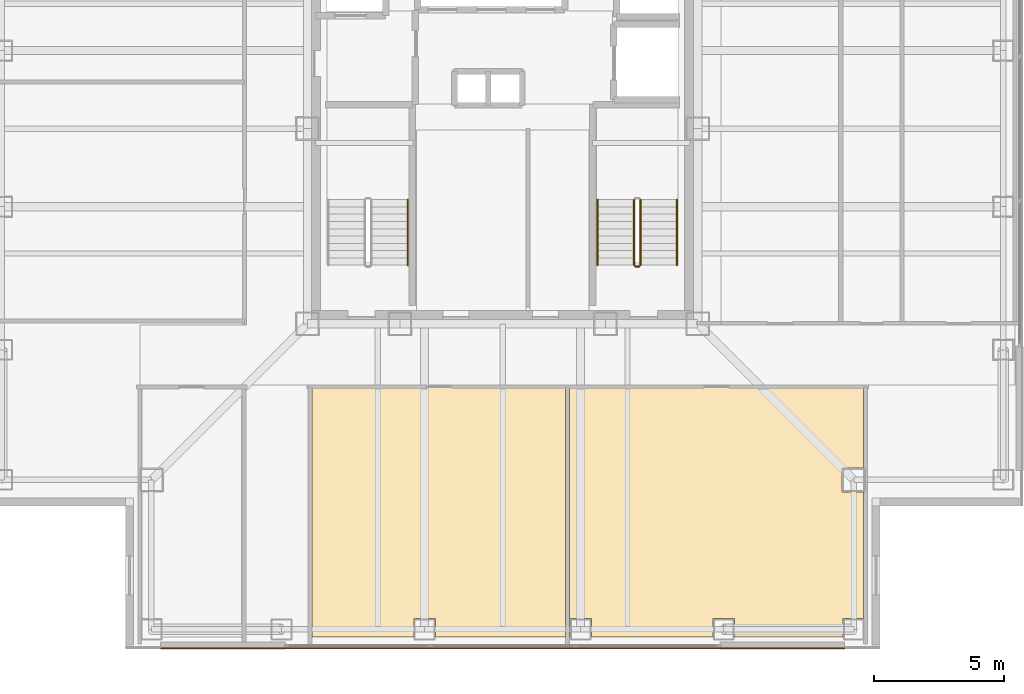
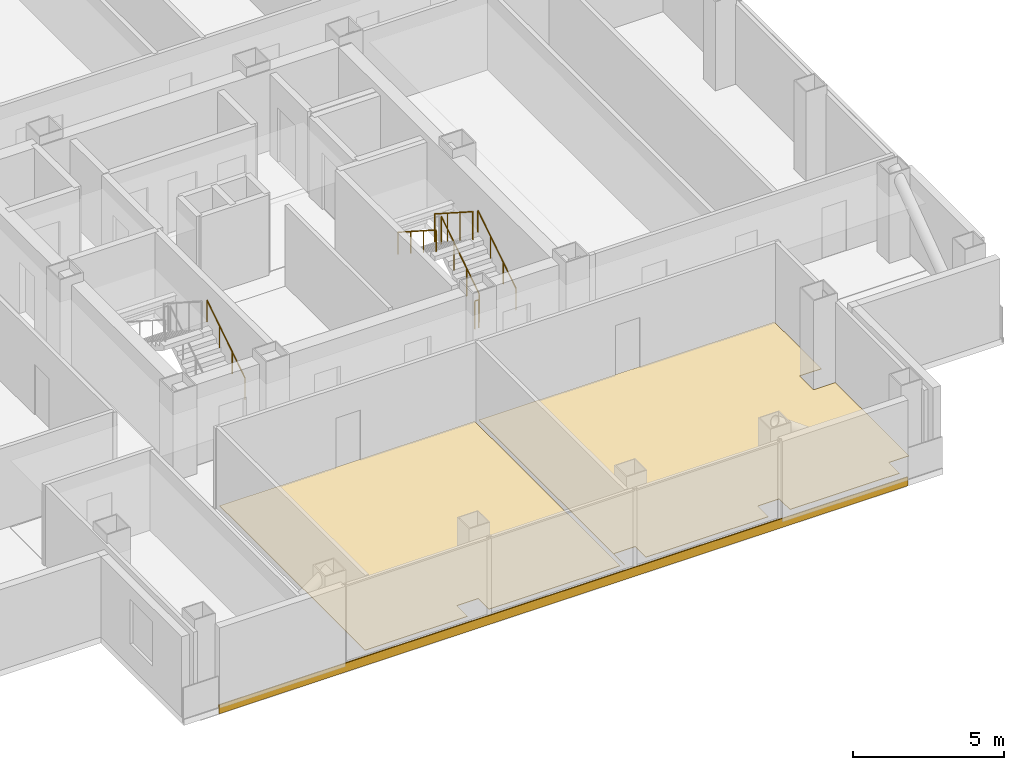
# One storey, part 12 of 16: 6 railings, 3 coverings.
"""IFC4 building model written with IfcOpenShell, lengths in metres."""

from ifc_helpers import new_model, si_unit, direction, frame, frame_2d, origin, origin_2d, place, context, subcontext, project, spatial, polyline, rectangle, circle, outline, extrude, material, layer, layer_set, type_object, element, save


model = new_model("IFC4")

# Units and contexts
model_context = context("Model", 3, precision=1e-05, world=origin(), true_north=direction((0.0, 1.0)))
body_context = subcontext(model_context, "Body", "Model", "MODEL_VIEW")
ifc_project = project(units=[si_unit("LENGTHUNIT", "METRE"), si_unit("AREAUNIT", "SQUARE_METRE"), si_unit("VOLUMEUNIT", "CUBIC_METRE"), si_unit("PLANEANGLEUNIT", "RADIAN"), si_unit("MASSUNIT", "GRAM", prefix="KILO")], contexts=[model_context])

# Site, building, storey
site_placement = place(None, origin())
site = spatial("IfcSite", under=ifc_project, at=site_placement, CompositionType="ELEMENT")
building_placement = place(site_placement, origin())
building = spatial("IfcBuilding", under=site, at=building_placement, Name="Trevonay Congress Spire", CompositionType="ELEMENT")
storey_placement = place(building_placement, frame((0.0, 0.0, 223.800048828125)))
storey = spatial("IfcBuildingStorey", under=building, at=storey_placement, Name="L58", CompositionType="ELEMENT", Elevation=223.800048828125)

# Coverings
ifc_material_1 = material(Name="Polished Granite Floor Tile", Category="masonry")
ifc_layer_1 = layer(ifc_material_1, 0.02001953125, Name="Polished Granite Floor Tile")
ifc_layer_set_1 = layer_set([ifc_layer_1], Name="Polished Granite Floor Tile")
covering_type_1 = type_object("IfcCoveringType", Name="COV-FLOOR-STONE", PredefinedType="FLOORING", material=ifc_layer_set_1)
covering_1_placement = place(storey_placement, origin())
element("IfcCovering", 1, at=covering_1_placement, inside=storey, type_object=covering_type_1, Name="L58 Brazilian Design Flagship Showroom Shop floor finish", PredefinedType="FLOORING", context=body_context, shape_type="SweptSolid", body=[
    extrude(outline(polyline([(-7.320068359375, -19.550048828125), (-7.320068359375, -9.929931640625), (2.419921875, -9.929931640625), (2.419921875, -19.550048828125), (-2.590087890625, -19.550048828125), (-2.590087890625, -18.840087890625), (-3.409912109375, -18.840087890625), (-3.409912109375, -19.550048828125), (-7.320068359375, -19.550048828125)])), origin(), (0.0, 0.0, 1.0), 0.02001953125),
])
covering_2_placement = place(storey_placement, origin())
element("IfcCovering", 2, at=covering_2_placement, inside=storey, type_object=covering_type_1, Name="L58 Export Craft Boutique Shop floor finish", PredefinedType="FLOORING", context=body_context, shape_type="SweptSolid", body=[
    extrude(outline(polyline([(2.580078125, -19.550048828125), (2.580078125, -9.929931640625), (13.8701171875, -9.929931640625), (13.8701171875, -13.0400390625), (13.0400390625, -13.0400390625), (13.0400390625, -13.9599609375), (13.8701171875, -13.9599609375), (13.8701171875, -18.840087890625), (13.090087890625, -18.840087890625), (13.090087890625, -19.550048828125), (8.909912109375, -19.550048828125), (8.909912109375, -18.840087890625), (8.090087890625, -18.840087890625), (8.090087890625, -19.550048828125), (3.409912109375, -19.550048828125), (3.409912109375, -18.840087890625), (2.590087890625, -18.840087890625), (2.590087890625, -19.550048828125), (2.580078125, -19.550048828125)])), origin(), (0.0, 0.0, 1.0), 0.02001953125),
])
ifc_material_2 = material(Name="Pale Anodised Aluminium EN AW-6063-T6", Category="aluminium")
ifc_layer_2 = layer(ifc_material_2, 0.0400390625, Name="Pale Anodised Aluminium EN AW-6063-T6")
ifc_layer_set_2 = layer_set([ifc_layer_2], Name="Pale Anodised Aluminium EN AW-6063-T6")
covering_type_2 = type_object("IfcCoveringType", Name="COV-SPANDREL-PALE-METAL", PredefinedType="CLADDING", material=ifc_layer_set_2)
covering_3_placement = place(storey_placement, frame((-13.14990234375, -19.97998046875, -0.239990234375), z_axis=(0.0, 0.0, 1.0), x_axis=(1.0, 0.0, 0.0)))
element("IfcCovering", 3, at=covering_3_placement, inside=storey, type_object=covering_type_2, Name="L58 S pale-metal slab-edge spandrel cladding", PredefinedType="CLADDING", context=body_context, shape_type="SweptSolid", body=[
    extrude(rectangle(XDim=26.2998046875, YDim=0.0400390625, at=frame_2d((13.14990234375, 0.0))), origin(), (0.0, 0.0, 1.0), 0.35986328125),
])

# Railings
railing_type_1 = type_object("IfcRailingType", Name="RAL-STAIR-GUARD-110", PredefinedType="GUARDRAIL", material=ifc_material_2)
railing_1_placement = place(storey_placement, frame((5.300048828125, -5.25, 0.179931640625)))
element("IfcRailing", 4, at=railing_1_placement, inside=storey, type_object=railing_type_1, Name="L58 ST-2 stair guard 1", PredefinedType="GUARDRAIL", context=body_context, shape_type="SweptSolid", body=[
    extrude(circle(Radius=0.02392578125, at=origin_2d()), frame((0.0, 0.0, 1.1259765625), z_axis=(0.0, 0.841162588446, 0.540782303519), x_axis=(-1.0, 0.0, 0.0)), (0.0, 0.0, 1.0), 2.995849609375),
    extrude(circle(Radius=0.02099609375, at=origin_2d()), origin(), (0.0, 0.0, 1.0), 1.101806640625),
    extrude(circle(Radius=0.02099609375, at=origin_2d()), frame((0.0, 0.840087890625, 0.5400390625)), (0.0, 0.0, 1.0), 1.101806640625),
    extrude(circle(Radius=0.02099609375, at=origin_2d()), frame((0.0, 1.679931640625, 1.080078125)), (0.0, 0.0, 1.0), 1.101806640625),
    extrude(circle(Radius=0.02099609375, at=origin_2d()), frame((0.0, 2.52001953125, 1.6201171875)), (0.0, 0.0, 1.0), 1.101806640625),
])
railing_2_placement = place(storey_placement, frame((5.050048828125, -2.72998046875, 1.97998046875)))
element("IfcRailing", 5, at=railing_2_placement, inside=storey, type_object=railing_type_1, Name="L58 ST-2 stair guard 3", PredefinedType="GUARDRAIL", context=body_context, shape_type="SweptSolid", body=[
    extrude(circle(Radius=0.02392578125, at=origin_2d()), frame((0.0, 0.0, 1.1259765625), z_axis=(0.0, -0.841199657755, 0.540724639528), x_axis=(1.0, 0.0, 0.0)), (0.0, 0.0, 1.0), 2.995849609375),
    extrude(circle(Radius=0.02099609375, at=origin_2d()), origin(), (0.0, 0.0, 1.0), 1.101806640625),
    extrude(circle(Radius=0.02099609375, at=origin_2d()), frame((0.0, -0.840087890625, 0.5400390625)), (0.0, 0.0, 1.0), 1.101806640625),
    extrude(circle(Radius=0.02099609375, at=origin_2d()), frame((0.0, -1.679931640625, 1.079833984375)), (0.0, 0.0, 1.0), 1.101806640625),
    extrude(circle(Radius=0.02099609375, at=origin_2d()), frame((0.0, -2.52001953125, 1.619873046875)), (0.0, 0.0, 1.0), 1.101806640625),
])
railing_3_placement = place(storey_placement, frame((5.25, -5.300048828125, 0.0)))
element("IfcRailing", 6, at=railing_3_placement, inside=storey, type_object=railing_type_1, Name="L58 ST-2 stair guard 4", PredefinedType="GUARDRAIL", context=body_context, shape_type="SweptSolid", body=[
    extrude(circle(Radius=0.02392578125, at=origin_2d()), frame((0.0, 0.0, 1.1259765625), z_axis=(-1.0, 0.0, 0.0), x_axis=(0.0, -1.0, 0.0)), (0.0, 0.0, 1.0), 0.14990234375),
    extrude(circle(Radius=0.02099609375, at=origin_2d()), origin(), (0.0, 0.0, 1.0), 1.101806640625),
    extrude(circle(Radius=0.02099609375, at=origin_2d()), frame((-0.14990234375, 0.0, 0.0)), (0.0, 0.0, 1.0), 1.101806640625),
])
railing_type_2 = type_object("IfcRailingType", Name="RAL-STAIR-HANDRAIL", PredefinedType="HANDRAIL", material=ifc_material_2)
for number, where, name in (
    (7, (-3.64990234375, -5.25, 0.179931640625), "L58 ST-1 stair handrail 1"),
    (8, (6.699951171875, -5.25, 0.179931640625), "L58 ST-2 stair handrail 1"),
):
    element("IfcRailing", number, at=place(storey_placement, frame(where)), inside=storey, type_object=railing_type_2, Name=name, PredefinedType="HANDRAIL", context=body_context, shape_type="SweptSolid", body=[
        extrude(circle(Radius=0.02392578125, at=origin_2d()), frame((0.0, 0.0, 0.8759765625), z_axis=(0.0, 0.841162588446, 0.540782303519), x_axis=(-1.0, 0.0, 0.0)), (0.0, 0.0, 1.0), 2.995849609375),
        extrude(circle(Radius=0.02099609375, at=origin_2d()), origin(), (0.0, 0.0, 1.0), 0.851806640625),
        extrude(circle(Radius=0.02099609375, at=origin_2d()), frame((0.0, 0.840087890625, 0.5400390625)), (0.0, 0.0, 1.0), 0.851806640625),
        extrude(circle(Radius=0.02099609375, at=origin_2d()), frame((0.0, 1.679931640625, 1.080078125)), (0.0, 0.0, 1.0), 0.851806640625),
        extrude(circle(Radius=0.02099609375, at=origin_2d()), frame((0.0, 2.52001953125, 1.6201171875)), (0.0, 0.0, 1.0), 0.851806640625),
    ])
railing_4_placement = place(storey_placement, frame((3.64990234375, -2.72998046875, 1.97998046875)))
element("IfcRailing", 9, at=railing_4_placement, inside=storey, type_object=railing_type_2, Name="L58 ST-2 stair handrail 2", PredefinedType="HANDRAIL", context=body_context, shape_type="SweptSolid", body=[
    extrude(circle(Radius=0.02392578125, at=origin_2d()), frame((0.0, 0.0, 0.8759765625), z_axis=(0.0, -0.841199657755, 0.540724639528), x_axis=(1.0, 0.0, 0.0)), (0.0, 0.0, 1.0), 2.995849609375),
    extrude(circle(Radius=0.02099609375, at=origin_2d()), origin(), (0.0, 0.0, 1.0), 0.851806640625),
    extrude(circle(Radius=0.02099609375, at=origin_2d()), frame((0.0, -0.840087890625, 0.5400390625)), (0.0, 0.0, 1.0), 0.851806640625),
    extrude(circle(Radius=0.02099609375, at=origin_2d()), frame((0.0, -1.679931640625, 1.079833984375)), (0.0, 0.0, 1.0), 0.851806640625),
    extrude(circle(Radius=0.02099609375, at=origin_2d()), frame((0.0, -2.52001953125, 1.619873046875)), (0.0, 0.0, 1.0), 0.851806640625),
])

save(model, "model.ifc")
